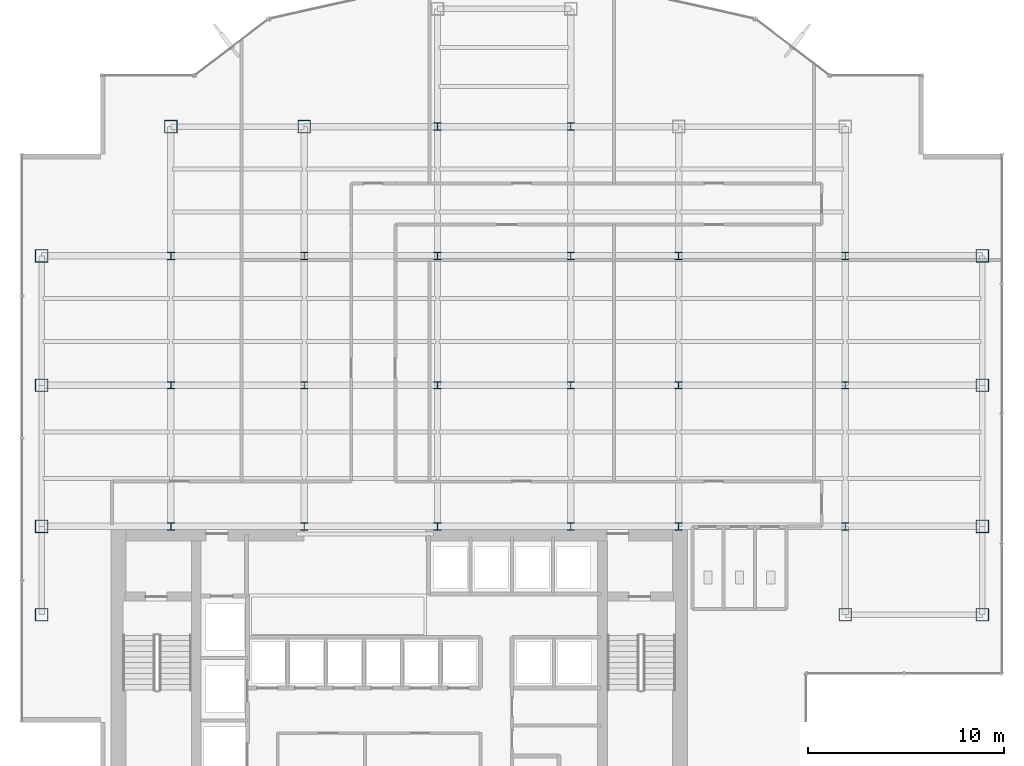
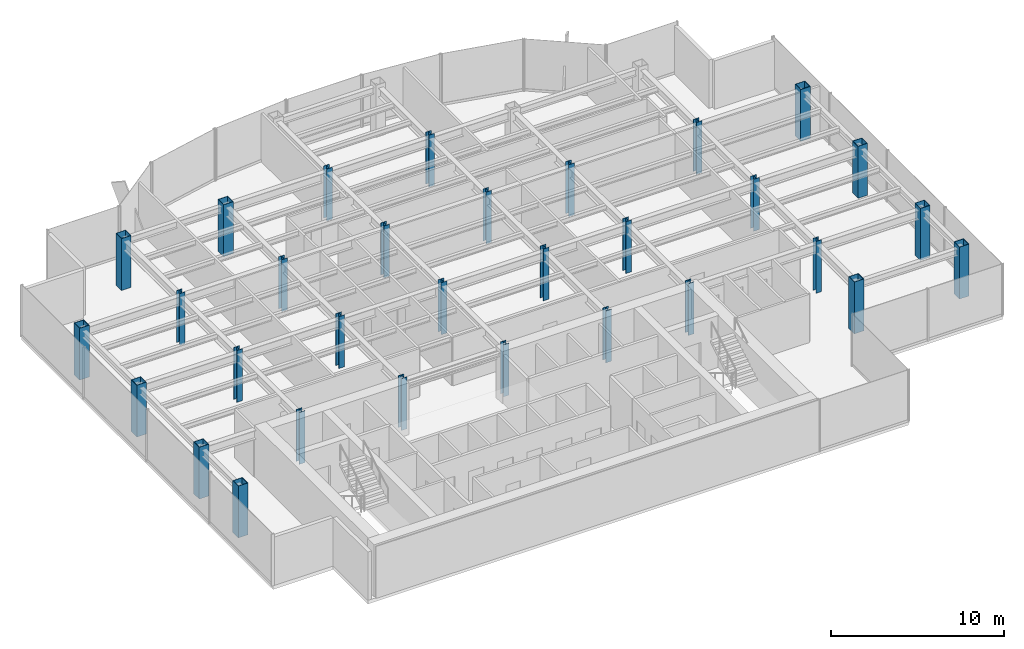
# One storey, part 1 of 25: 31 columns.
"""IFC4 building model written with IfcOpenShell, lengths in metres."""

from ifc_helpers import new_model, si_unit, derived_unit, direction, frame, origin, origin_2d, place, context, subcontext, project, spatial, hollow_rectangle, i_section, extrude, source, transform, mapped, material, material_profile, profile_set, type_object, element, save


model = new_model("IFC4")

# Units and contexts
model_context = context("Model", 3, precision=1e-05, world=origin(), true_north=direction((0.0, 1.0)))
body_context = subcontext(model_context, "Body", "Model", "MODEL_VIEW")
ifc_project = project(units=[si_unit("LENGTHUNIT", "METRE"), si_unit("AREAUNIT", "SQUARE_METRE"), si_unit("VOLUMEUNIT", "CUBIC_METRE"), si_unit("PLANEANGLEUNIT", "RADIAN"), si_unit("MASSUNIT", "GRAM", prefix="KILO"), derived_unit("THERMALTRANSMITTANCEUNIT", [(si_unit("POWERUNIT", "WATT"), 1), (si_unit("LENGTHUNIT", "METRE"), -2), (si_unit("THERMODYNAMICTEMPERATUREUNIT", "KELVIN"), -1)])], contexts=[model_context])

# Site, building, storey
site_placement = place(None, origin())
site = spatial("IfcSite", under=ifc_project, at=site_placement, CompositionType="ELEMENT")
building_placement = place(site_placement, origin())
building = spatial("IfcBuilding", under=site, at=building_placement, Name="Skarnbrae Concourse Arena and Tower", CompositionType="ELEMENT")
storey_placement = place(building_placement, frame((0.0, 0.0, 158.85009765625)))
storey = spatial("IfcBuildingStorey", under=building, at=storey_placement, Name="L40", CompositionType="ELEMENT", Elevation=158.85009765625)

# Columns
ifc_material = material(Name="Steel CSA G40.21 350W", Category="steel")
ifc_material_profile_1 = material_profile(ifc_material, hollow_rectangle(XDim=0.64990234375, YDim=0.64990234375, WallThickness=0.031982421875, at=origin_2d()), Name="BOX650X650X32")
ifc_profile_set_1 = profile_set([ifc_material_profile_1], Name="Steel CSA G40.21 350W")
column_type_1 = type_object("IfcColumnType", Name="COL-TUBE-BOX650", PredefinedType="COLUMN", material=ifc_profile_set_1)
shared_shape_1 = source(origin(), body_context, "Body", "SweptSolid", [
    extrude(hollow_rectangle(XDim=0.64990234375, YDim=0.64990234375, WallThickness=0.031982421875, at=origin_2d()), origin(), (0.0, 0.0, 1.0), 3.64990234375),
])
for number, where, z_axis, x_axis, name in (
    (1, (1.0, 9.5, 0.0), (0.0, 0.0, 1.0), (1.0, 0.0, 0.0), "L40 Tower column PC_01_01"),
    (2, (1.0, 14.0, 0.0), (0.0, 0.0, 1.0), (1.0, 0.0, 0.0), "L40 Tower column PC_01_02"),
    (3, (1.0, 21.199951171875, 0.0), (0.0, 0.0, 1.0), (1.0, 0.0, 0.0), "L40 Tower column PC_01_03"),
    (4, (1.0, 27.800048828125, 0.0), (0.0, 0.0, 1.0), (1.0, 0.0, 0.0), "L40 Tower column PC_01_04"),
    (5, (7.60009765625, 34.39990234375, 0.0), (0.0, 0.0, 1.0), (1.0, 0.0, 0.0), "L40 Tower column PC_02_05"),
    (6, (14.39990234375, 34.39990234375, 0.0), (0.0, 0.0, 1.0), (1.0, 0.0, 0.0), "L40 Tower column PC_03_05"),
    (7, (42.0, 9.5, 0.0), (0.0, 0.0, 1.0), (1.0, 0.0, 0.0), "L40 Tower column PC_07_01"),
    (8, (49.0, 9.5, 0.0), (0.0, 0.0, 1.0), (1.0, 0.0, 0.0), "L40 Tower column PC_08_01"),
    (9, (49.0, 14.0, 0.0), (0.0, 0.0, 1.0), (1.0, 0.0, 0.0), "L40 Tower column PC_08_02"),
    (10, (49.0, 21.199951171875, 0.0), (0.0, 0.0, 1.0), (1.0, 0.0, 0.0), "L40 Tower column PC_08_03"),
    (11, (49.0, 27.800048828125, 0.0), (0.0, 0.0, 1.0), (1.0, 0.0, 0.0), "L40 Tower column PC_08_04"),
):
    element("IfcColumn", number, at=place(storey_placement, frame(where, z_axis=z_axis, x_axis=x_axis)), inside=storey, type_object=column_type_1, Name=name, PredefinedType="COLUMN", context=body_context, shape_type="MappedRepresentation", body=[
        mapped(shared_shape_1, transform((0.0, 0.0, 0.0))),
    ])
ifc_material_profile_2 = material_profile(ifc_material, i_section(OverallWidth=0.3740234375, OverallDepth=0.3720703125, WebThickness=0.016357421875, FlangeThickness=0.026123046875, at=origin_2d()), Name="W360X196")
ifc_profile_set_2 = profile_set([ifc_material_profile_2], Name="Steel CSA G40.21 350W")
column_type_2 = type_object("IfcColumnType", Name="COL-INT-W360X196", PredefinedType="COLUMN", material=ifc_profile_set_2)
shared_shape_2 = source(origin(), body_context, "Body", "SweptSolid", [
    extrude(i_section(OverallWidth=0.3740234375, OverallDepth=0.3720703125, WebThickness=0.016357421875, FlangeThickness=0.026123046875, at=origin_2d()), origin(), (0.0, 0.0, 1.0), 3.64990234375),
])
for number, where, z_axis, x_axis, name in (
    (12, (7.60009765625, 14.0, 0.0), (0.0, 0.0, 1.0), (1.0, 0.0, 0.0), "L40 Tower column IC_02_02"),
    (13, (7.60009765625, 21.199951171875, 0.0), (0.0, 0.0, 1.0), (1.0, 0.0, 0.0), "L40 Tower column IC_02_03"),
    (14, (7.60009765625, 27.800048828125, 0.0), (0.0, 0.0, 1.0), (1.0, 0.0, 0.0), "L40 Tower column IC_02_04"),
    (15, (14.39990234375, 14.0, 0.0), (0.0, 0.0, 1.0), (1.0, 0.0, 0.0), "L40 Tower column IC_03_02"),
    (16, (14.39990234375, 21.199951171875, 0.0), (0.0, 0.0, 1.0), (1.0, 0.0, 0.0), "L40 Tower column IC_03_03"),
    (17, (14.39990234375, 27.800048828125, 0.0), (0.0, 0.0, 1.0), (1.0, 0.0, 0.0), "L40 Tower column IC_03_04"),
    (18, (21.199951171875, 14.0, 0.0), (0.0, 0.0, 1.0), (1.0, 0.0, 0.0), "L40 Tower column IC_04_02"),
    (19, (21.199951171875, 21.199951171875, 0.0), (0.0, 0.0, 1.0), (1.0, 0.0, 0.0), "L40 Tower column IC_04_03"),
    (20, (21.199951171875, 27.800048828125, 0.0), (0.0, 0.0, 1.0), (1.0, 0.0, 0.0), "L40 Tower column IC_04_04"),
    (21, (21.199951171875, 34.39990234375, 0.0), (0.0, 0.0, 1.0), (1.0, 0.0, 0.0), "L40 Tower column IC_04_05"),
    (22, (28.0, 14.0, 0.0), (0.0, 0.0, 1.0), (1.0, 0.0, 0.0), "L40 Tower column IC_05_02"),
    (23, (28.0, 21.199951171875, 0.0), (0.0, 0.0, 1.0), (1.0, 0.0, 0.0), "L40 Tower column IC_05_03"),
    (24, (28.0, 27.800048828125, 0.0), (0.0, 0.0, 1.0), (1.0, 0.0, 0.0), "L40 Tower column IC_05_04"),
    (25, (28.0, 34.39990234375, 0.0), (0.0, 0.0, 1.0), (1.0, 0.0, 0.0), "L40 Tower column IC_05_05"),
    (26, (33.5, 14.0, 0.0), (0.0, 0.0, 1.0), (1.0, 0.0, 0.0), "L40 Tower column IC_06_02"),
    (27, (33.5, 21.199951171875, 0.0), (0.0, 0.0, 1.0), (1.0, 0.0, 0.0), "L40 Tower column IC_06_03"),
    (28, (33.5, 27.800048828125, 0.0), (0.0, 0.0, 1.0), (1.0, 0.0, 0.0), "L40 Tower column IC_06_04"),
    (29, (42.0, 14.0, 0.0), (0.0, 0.0, 1.0), (1.0, 0.0, 0.0), "L40 Tower column IC_07_02"),
    (30, (42.0, 21.199951171875, 0.0), (0.0, 0.0, 1.0), (1.0, 0.0, 0.0), "L40 Tower column IC_07_03"),
    (31, (42.0, 27.800048828125, 0.0), (0.0, 0.0, 1.0), (1.0, 0.0, 0.0), "L40 Tower column IC_07_04"),
):
    element("IfcColumn", number, at=place(storey_placement, frame(where, z_axis=z_axis, x_axis=x_axis)), inside=storey, type_object=column_type_2, Name=name, PredefinedType="COLUMN", context=body_context, shape_type="MappedRepresentation", body=[
        mapped(shared_shape_2, transform((0.0, 0.0, 0.0))),
    ])

save(model, "model.ifc")
